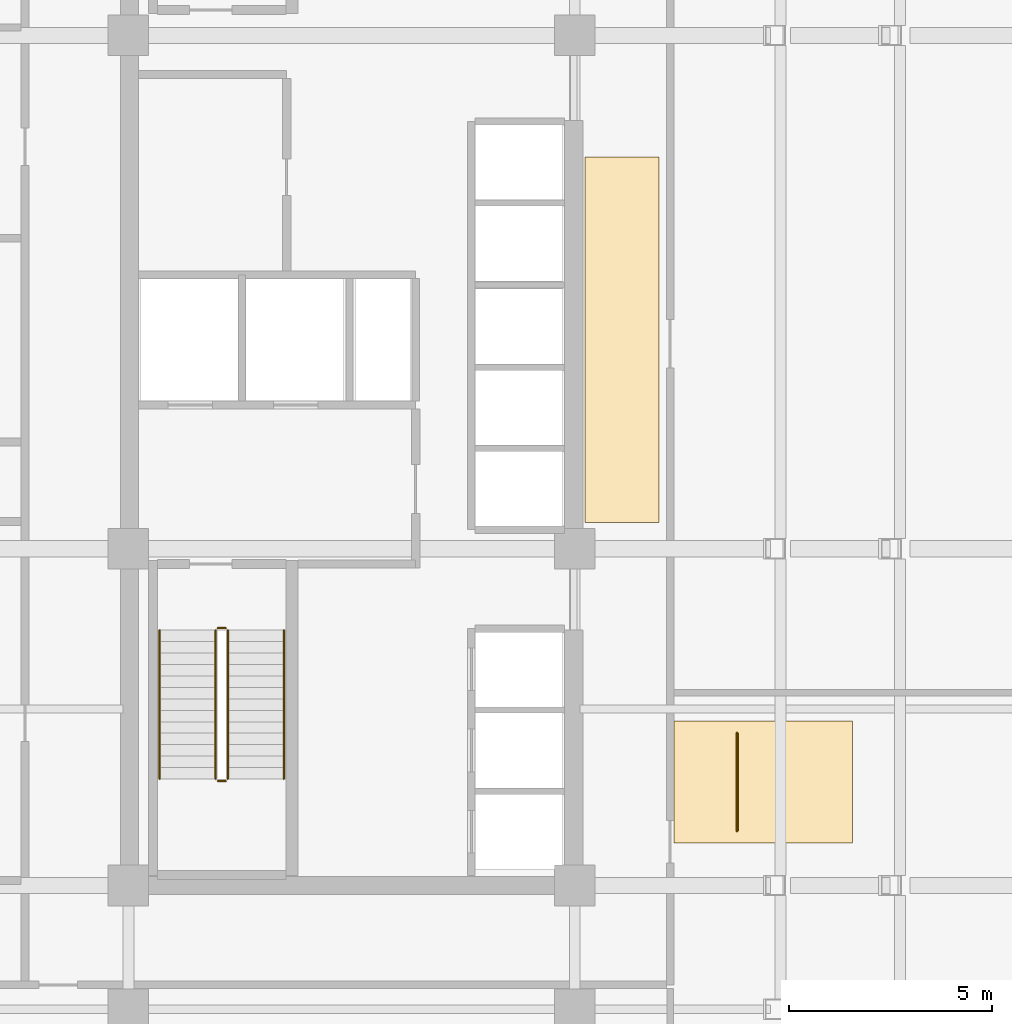
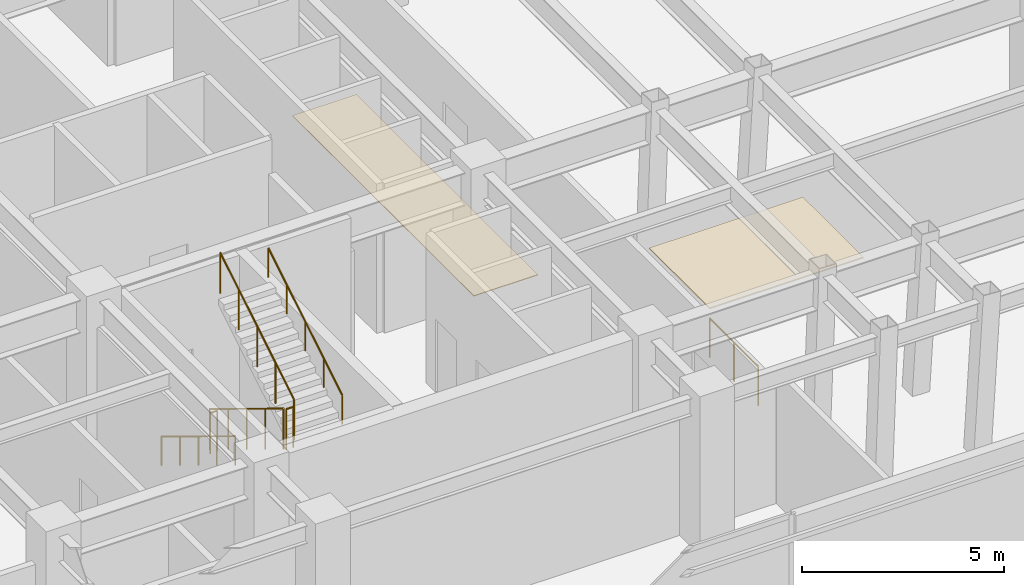
# One storey, part 16 of 18: 7 railings, 2 coverings.
"""IFC4 building model written with IfcOpenShell, lengths in metres."""

from ifc_helpers import new_model, si_unit, direction, frame, origin, origin_2d, place, context, subcontext, project, spatial, polyline, circle, outline, extrude, material, layer, layer_set, type_object, element, save


model = new_model("IFC4")

# Units and contexts
model_context = context("Model", 3, precision=1e-05, world=origin(), true_north=direction((0.0, 1.0)))
body_context = subcontext(model_context, "Body", "Model", "MODEL_VIEW")
ifc_project = project(units=[si_unit("LENGTHUNIT", "METRE"), si_unit("AREAUNIT", "SQUARE_METRE"), si_unit("VOLUMEUNIT", "CUBIC_METRE"), si_unit("PLANEANGLEUNIT", "RADIAN"), si_unit("MASSUNIT", "GRAM", prefix="KILO")], contexts=[model_context])

# Site, building, storey
site_placement = place(None, origin())
site = spatial("IfcSite", under=ifc_project, at=site_placement, CompositionType="ELEMENT")
building_placement = place(site_placement, origin())
building = spatial("IfcBuilding", under=site, at=building_placement, Name="Ochreholt Gables", CompositionType="ELEMENT")
storey_placement = place(building_placement, frame((0.0, 0.0, 4.800048828125)))
storey = spatial("IfcBuildingStorey", under=building, at=storey_placement, Name="L01", CompositionType="ELEMENT", Elevation=4.800048828125)

# Coverings
ifc_material_1 = material(Name="Mineral Fibre Acoustic Ceiling Tile", Category="gypsum")
ifc_layer_1 = layer(ifc_material_1, 0.034912109375, Name="Mineral Fibre Acoustic Ceiling Tile")
ifc_layer_set_1 = layer_set([ifc_layer_1], Name="Mineral Fibre Acoustic Ceiling Tile")
covering_type_1 = type_object("IfcCoveringType", Name="COV-CEIL-AC", PredefinedType="CEILING", material=ifc_layer_set_1)
covering_1_placement = place(storey_placement, frame((0.0, 0.0, 3.639892578125)))
element("IfcCovering", 1, at=covering_1_placement, inside=storey, type_object=covering_type_1, Name="L01 Suspended Acoustic Ceiling", PredefinedType="CEILING", context=body_context, shape_type="SweptSolid", body=[
    extrude(outline(polyline([(37.639892578125, 10.300048828125), (42.0400390625, 10.300048828125), (42.0400390625, 13.300048828125), (37.639892578125, 13.300048828125), (37.639892578125, 10.300048828125)])), origin(), (0.0, 0.0, 1.0), 0.03515625),
])
ifc_material_2 = material(Name="Acoustic Resilient Timber Flooring", Category="wood")
ifc_layer_2 = layer(ifc_material_2, 0.02001953125, Name="Acoustic Resilient Timber Flooring")
ifc_layer_set_2 = layer_set([ifc_layer_2], Name="Acoustic Resilient Timber Flooring")
covering_type_2 = type_object("IfcCoveringType", Name="COV-FLR-RES", PredefinedType="FLOORING", material=ifc_layer_set_2)
covering_2_placement = place(storey_placement, origin())
element("IfcCovering", 2, at=covering_2_placement, inside=storey, type_object=covering_type_2, Name="L01 Floor Finish", PredefinedType="FLOORING", context=body_context, shape_type="SweptSolid", body=[
    extrude(outline(polyline([(35.449951171875, 18.199951171875), (37.280029296875, 18.199951171875), (37.280029296875, 27.199951171875), (35.449951171875, 27.199951171875), (35.449951171875, 18.199951171875)])), origin(), (0.0, 0.0, 1.0), 0.02001953125),
])

# Railings
ifc_material_3 = material(Name="Laminated Glass and Bronze Interior Balustrade", Category="glass")
railing_type_1 = type_object("IfcRailingType", Name="RL-INT-BAL", PredefinedType="BALUSTRADE", material=ifc_material_3)
railing_1_placement = place(storey_placement, frame((39.199951171875, 10.60009765625, 0.0)))
element("IfcRailing", 3, at=railing_1_placement, inside=storey, type_object=railing_type_1, Name="L01 Gallery Balustrade", PredefinedType="BALUSTRADE", context=body_context, shape_type="SweptSolid", body=[
    extrude(circle(Radius=0.02392578125, at=origin_2d()), frame((0.0, 0.0, 1.17578125), z_axis=(0.0, 1.0, 0.0), x_axis=(-1.0, 0.0, 0.0)), (0.0, 0.0, 1.0), 2.39990234375),
    extrude(circle(Radius=0.02099609375, at=origin_2d()), origin(), (0.0, 0.0, 1.0), 1.15185546875),
    extrude(circle(Radius=0.02099609375, at=origin_2d()), frame((0.0, 1.199951171875, 0.0)), (0.0, 0.0, 1.0), 1.15185546875),
    extrude(circle(Radius=0.02099609375, at=origin_2d()), frame((0.0, 2.39990234375, 0.0)), (0.0, 0.0, 1.0), 1.15185546875),
])
ifc_material_4 = material(Name="Painted Steel Stair Guardrail", Category="steel")
railing_type_2 = type_object("IfcRailingType", Name="RL-ST-GUARD", PredefinedType="GUARDRAIL", material=ifc_material_4)
railing_2_placement = place(storey_placement, frame((26.35009765625, 15.5400390625, 0.17138671875)))
element("IfcRailing", 4, at=railing_2_placement, inside=storey, type_object=railing_type_2, Name="L01 ST-1 stair guard 1", PredefinedType="GUARDRAIL", context=body_context, shape_type="SweptSolid", body=[
    extrude(circle(Radius=0.02392578125, at=origin_2d()), frame((0.0, 0.0, 1.22607421875), z_axis=(0.0, -0.85450609292, 0.519441370283), x_axis=(1.0, 0.0, 0.0)), (0.0, 0.0, 1.0), 4.290283203125),
    extrude(circle(Radius=0.02099609375, at=origin_2d()), origin(), (0.0, 0.0, 1.0), 1.201904296875),
    extrude(circle(Radius=0.02099609375, at=origin_2d()), frame((0.0, -0.91650390625, 0.55712890625)), (0.0, 0.0, 1.0), 1.201904296875),
    extrude(circle(Radius=0.02099609375, at=origin_2d()), frame((0.0, -1.8330078125, 1.1142578125)), (0.0, 0.0, 1.0), 1.201904296875),
    extrude(circle(Radius=0.02099609375, at=origin_2d()), frame((0.0, -2.74951171875, 1.67138671875)), (0.0, 0.0, 1.0), 1.201904296875),
    extrude(circle(Radius=0.02099609375, at=origin_2d()), frame((0.0, -3.666015625, 2.228515625)), (0.0, 0.0, 1.0), 1.201904296875),
])
railing_3_placement = place(storey_placement, frame((26.39990234375, 11.823974609375, 2.39990234375)))
element("IfcRailing", 5, at=railing_3_placement, inside=storey, type_object=railing_type_2, Name="L01 ST-1 stair guard 2", PredefinedType="GUARDRAIL", context=body_context, shape_type="SweptSolid", body=[
    extrude(circle(Radius=0.02392578125, at=origin_2d()), frame((0.0, 0.0, 1.22607421875), z_axis=(1.0, 0.0, 0.0), x_axis=(0.0, 1.0, 0.0)), (0.0, 0.0, 1.0), 0.2001953125),
    extrude(circle(Radius=0.02099609375, at=origin_2d()), origin(), (0.0, 0.0, 1.0), 1.201904296875),
    extrude(circle(Radius=0.02099609375, at=origin_2d()), frame((0.2001953125, 0.0, 0.0)), (0.0, 0.0, 1.0), 1.201904296875),
])
railing_4_placement = place(storey_placement, frame((26.64990234375, 11.8740234375, 2.5712890625)))
element("IfcRailing", 6, at=railing_4_placement, inside=storey, type_object=railing_type_2, Name="L01 ST-1 stair guard 3", PredefinedType="GUARDRAIL", context=body_context, shape_type="SweptSolid", body=[
    extrude(circle(Radius=0.02392578125, at=origin_2d()), frame((0.0, 0.0, 1.22607421875), z_axis=(0.0, 0.854480833863, 0.519482920374), x_axis=(-1.0, 0.0, 0.0)), (0.0, 0.0, 1.0), 4.290283203125),
    extrude(circle(Radius=0.02099609375, at=origin_2d()), origin(), (0.0, 0.0, 1.0), 1.201904296875),
    extrude(circle(Radius=0.02099609375, at=origin_2d()), frame((0.0, 0.91650390625, 0.55712890625)), (0.0, 0.0, 1.0), 1.201904296875),
    extrude(circle(Radius=0.02099609375, at=origin_2d()), frame((0.0, 1.8330078125, 1.1142578125)), (0.0, 0.0, 1.0), 1.201904296875),
    extrude(circle(Radius=0.02099609375, at=origin_2d()), frame((0.0, 2.74951171875, 1.671630859375)), (0.0, 0.0, 1.0), 1.201904296875),
    extrude(circle(Radius=0.02099609375, at=origin_2d()), frame((0.0, 3.666015625, 2.228759765625)), (0.0, 0.0, 1.0), 1.201904296875),
])
railing_5_placement = place(storey_placement, frame((26.39990234375, 15.590087890625, 0.0)))
element("IfcRailing", 7, at=railing_5_placement, inside=storey, type_object=railing_type_2, Name="L01 ST-1 stair guard 4", PredefinedType="GUARDRAIL", context=body_context, shape_type="SweptSolid", body=[
    extrude(circle(Radius=0.02392578125, at=origin_2d()), frame((0.0, 0.0, 1.22607421875), z_axis=(1.0, 0.0, 0.0), x_axis=(0.0, 1.0, 0.0)), (0.0, 0.0, 1.0), 0.2001953125),
    extrude(circle(Radius=0.02099609375, at=origin_2d()), origin(), (0.0, 0.0, 1.0), 1.201904296875),
    extrude(circle(Radius=0.02099609375, at=origin_2d()), frame((0.2001953125, 0.0, 0.0)), (0.0, 0.0, 1.0), 1.201904296875),
])
ifc_material_5 = material(Name="Brushed Stainless Steel Wall Handrail", Category="steel")
railing_type_3 = type_object("IfcRailingType", Name="RL-ST-HAND", PredefinedType="HANDRAIL", material=ifc_material_5)
railing_6_placement = place(storey_placement, frame((24.969970703125, 15.5400390625, 0.17138671875)))
element("IfcRailing", 8, at=railing_6_placement, inside=storey, type_object=railing_type_3, Name="L01 ST-1 stair handrail 1", PredefinedType="HANDRAIL", context=body_context, shape_type="SweptSolid", body=[
    extrude(circle(Radius=0.02392578125, at=origin_2d()), frame((0.0, 0.0, 0.8759765625), z_axis=(0.0, -0.85450609292, 0.519441370283), x_axis=(1.0, 0.0, 0.0)), (0.0, 0.0, 1.0), 4.290283203125),
    extrude(circle(Radius=0.02099609375, at=origin_2d()), origin(), (0.0, 0.0, 1.0), 0.851806640625),
    extrude(circle(Radius=0.02099609375, at=origin_2d()), frame((0.0, -0.91650390625, 0.55712890625)), (0.0, 0.0, 1.0), 0.851806640625),
    extrude(circle(Radius=0.02099609375, at=origin_2d()), frame((0.0, -1.8330078125, 1.1142578125)), (0.0, 0.0, 1.0), 0.851806640625),
    extrude(circle(Radius=0.02099609375, at=origin_2d()), frame((0.0, -2.74951171875, 1.67138671875)), (0.0, 0.0, 1.0), 0.851806640625),
    extrude(circle(Radius=0.02099609375, at=origin_2d()), frame((0.0, -3.666015625, 2.228515625)), (0.0, 0.0, 1.0), 0.851806640625),
])
railing_7_placement = place(storey_placement, frame((28.030029296875, 11.8740234375, 2.5712890625)))
element("IfcRailing", 9, at=railing_7_placement, inside=storey, type_object=railing_type_3, Name="L01 ST-1 stair handrail 2", PredefinedType="HANDRAIL", context=body_context, shape_type="SweptSolid", body=[
    extrude(circle(Radius=0.02392578125, at=origin_2d()), frame((0.0, 0.0, 0.8759765625), z_axis=(0.0, 0.854480833863, 0.519482920374), x_axis=(-1.0, 0.0, 0.0)), (0.0, 0.0, 1.0), 4.290283203125),
    extrude(circle(Radius=0.02099609375, at=origin_2d()), origin(), (0.0, 0.0, 1.0), 0.851806640625),
    extrude(circle(Radius=0.02099609375, at=origin_2d()), frame((0.0, 0.91650390625, 0.55712890625)), (0.0, 0.0, 1.0), 0.851806640625),
    extrude(circle(Radius=0.02099609375, at=origin_2d()), frame((0.0, 1.8330078125, 1.1142578125)), (0.0, 0.0, 1.0), 0.851806640625),
    extrude(circle(Radius=0.02099609375, at=origin_2d()), frame((0.0, 2.74951171875, 1.671630859375)), (0.0, 0.0, 1.0), 0.851806640625),
    extrude(circle(Radius=0.02099609375, at=origin_2d()), frame((0.0, 3.666015625, 2.228759765625)), (0.0, 0.0, 1.0), 0.851806640625),
])

save(model, "model.ifc")
